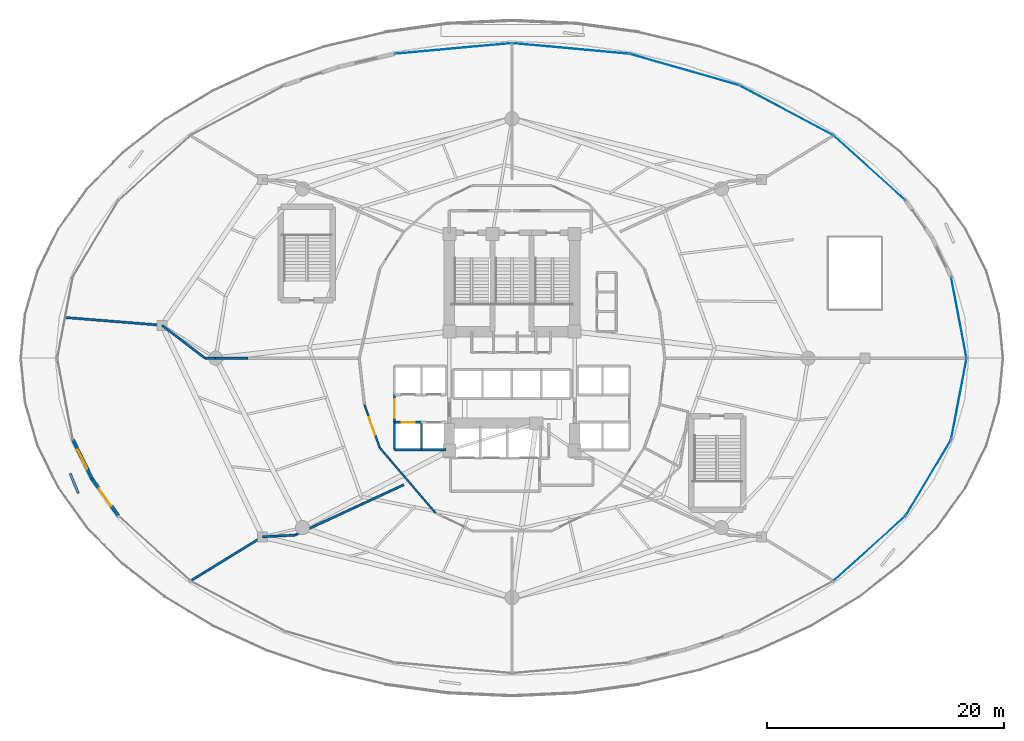
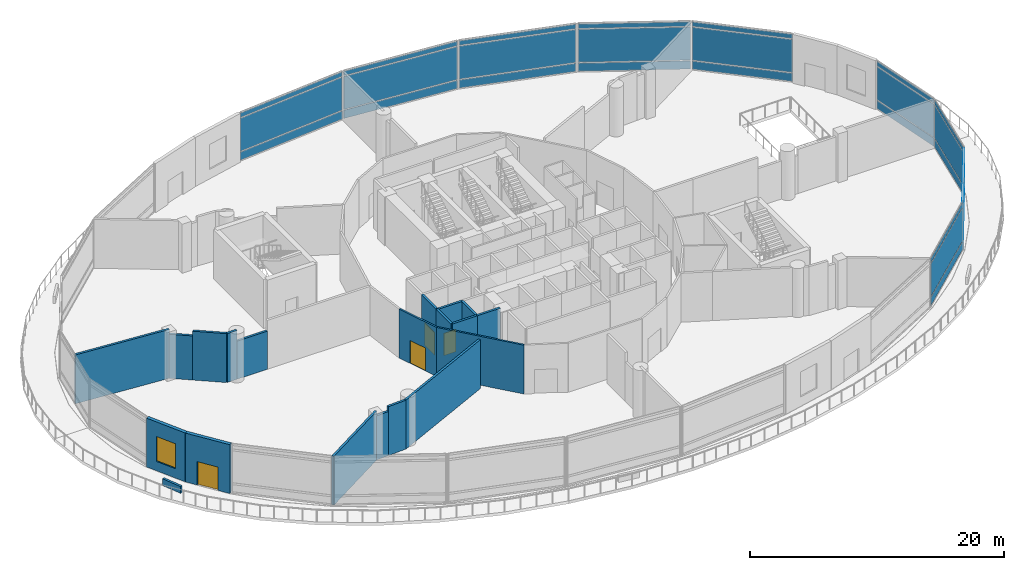
# One storey, part 25 of 37: 27 plates, 20 walls, 4 doors, 1 window, 5 openings, 9 elements without a shape of their own.
"""IFC4 building model written with IfcOpenShell, lengths in metres."""

from ifc_helpers import new_model, si_unit, direction, frame, frame_2d, origin, origin_2d, place, context, subcontext, project, spatial, rectangle, extrude, material, layer, layer_set, type_object, element, fill, aggregate, save


model = new_model("IFC4")

# Units and contexts
model_context = context("Model", 3, precision=1e-05, world=origin(), true_north=direction((0.0, 1.0)))
body_context = subcontext(model_context, "Body", "Model", "MODEL_VIEW")
ifc_project = project(units=[si_unit("LENGTHUNIT", "METRE"), si_unit("AREAUNIT", "SQUARE_METRE"), si_unit("VOLUMEUNIT", "CUBIC_METRE"), si_unit("PLANEANGLEUNIT", "RADIAN"), si_unit("MASSUNIT", "GRAM", prefix="KILO")], contexts=[model_context])

# Site, building, storey
site_placement = place(None, origin())
site = spatial("IfcSite", under=ifc_project, at=site_placement, CompositionType="ELEMENT")
building_placement = place(site_placement, origin())
building = spatial("IfcBuilding", under=site, at=building_placement, Name="Nuhasar Tower", CompositionType="ELEMENT")
storey_placement = place(building_placement, frame((0.0, 0.0, 6.0)))
storey = spatial("IfcBuildingStorey", under=building, at=storey_placement, Name="L01", CompositionType="ELEMENT", Elevation=6.0)

# Curtain wall, plates
ifc_material_1 = material(Name="Aluminium 6063-T6", Category="aluminium")
ifc_layer_1 = layer(ifc_material_1, 0.219970703125)
ifc_layer_set_1 = layer_set([ifc_layer_1], Name="Aluminium 6063-T6")
curtain_wall_type = type_object("IfcCurtainWallType", Name="CW-PODIUM", PredefinedType="NOTDEFINED", material=ifc_layer_set_1)
curtain_wall_1_placement = place(storey_placement, origin())
curtain_wall_1 = element("IfcCurtainWall", 1, at=curtain_wall_1_placement, inside=storey, type_object=curtain_wall_type, Name="L01 Podium Curtain Wall Bay 01", PredefinedType="NOTDEFINED")
ifc_material_2 = material(Name="Glass Double Low-E", Category="glass")
ifc_layer_2 = layer(ifc_material_2, 0.028076171875)
ifc_layer_set_2 = layer_set([ifc_layer_2], Name="Glass Double Low-E")
plate_type_1 = type_object("IfcPlateType", Name="CW-PANEL-GLZ", PredefinedType="CURTAIN_PANEL", material=ifc_layer_set_2)
plate_1_placement = place(storey_placement, frame((76.784912109375, 30.24755859375, 0.9375), z_axis=(0.0, 0.0, 1.0), x_axis=(-0.186653769843, 0.982425758113, 0.0)))
plate_1 = element("IfcPlate", 2, at=plate_1_placement, type_object=plate_type_1, Name="CW-P1 panel 1.2", PredefinedType="CURTAIN_PANEL", context=body_context, shape_type="SweptSolid", body=[
    extrude(rectangle(XDim=6.868408203125, YDim=0.028076171875, at=origin_2d()), origin(), (0.0, 0.0, 1.0), 3.175048828125),
])
plate_2_placement = place(storey_placement, frame((76.784912109375, 30.24755859375, 4.1875), z_axis=(0.0, 0.0, 1.0), x_axis=(-0.186653769843, 0.982425758113, 0.0)))
plate_2 = element("IfcPlate", 3, at=plate_2_placement, type_object=plate_type_1, Name="CW-P1 panel 1.3", PredefinedType="CURTAIN_PANEL", context=body_context, shape_type="SweptSolid", body=[
    extrude(rectangle(XDim=6.868408203125, YDim=0.028076171875, at=origin_2d()), origin(), (0.0, 0.0, 1.0), 0.4375),
])

curtain_wall_2_placement = place(storey_placement, origin())
curtain_wall_2 = element("IfcCurtainWall", 4, at=curtain_wall_2_placement, inside=storey, type_object=curtain_wall_type, Name="L01 Podium Curtain Wall Bay 03", PredefinedType="NOTDEFINED")
plate_3_placement = place(storey_placement, frame((69.235595703125, 42.87841796875, 0.9375), z_axis=(0.0, 0.0, 1.0), x_axis=(-0.742151374001, 0.67023230157, 0.0)))
plate_3 = element("IfcPlate", 5, at=plate_3_placement, type_object=plate_type_1, Name="CW-P1 panel 1.2", PredefinedType="CURTAIN_PANEL", context=body_context, shape_type="SweptSolid", body=[
    extrude(rectangle(XDim=8.08154296875, YDim=0.028076171875, at=origin_2d()), origin(), (0.0, 0.0, 1.0), 3.175048828125),
])
plate_4_placement = place(storey_placement, frame((69.235595703125, 42.87841796875, 4.1875), z_axis=(0.0, 0.0, 1.0), x_axis=(-0.742151374001, 0.67023230157, 0.0)))
plate_4 = element("IfcPlate", 6, at=plate_4_placement, type_object=plate_type_1, Name="CW-P1 panel 1.3", PredefinedType="CURTAIN_PANEL", context=body_context, shape_type="SweptSolid", body=[
    extrude(rectangle(XDim=8.08154296875, YDim=0.028076171875, at=origin_2d()), origin(), (0.0, 0.0, 1.0), 0.4375),
])

curtain_wall_3_placement = place(storey_placement, origin())
curtain_wall_3 = element("IfcCurtainWall", 7, at=curtain_wall_3_placement, inside=storey, type_object=curtain_wall_type, Name="L01 Podium Curtain Wall Bay 04", PredefinedType="NOTDEFINED")
plate_5_placement = place(storey_placement, frame((62.200439453125, 47.75390625, 0.9375), z_axis=(0.0, 0.0, 1.0), x_axis=(-0.882898802593, 0.469563312429, 0.0)))
plate_5 = element("IfcPlate", 8, at=plate_5_placement, type_object=plate_type_1, Name="CW-P1 panel 1.2", PredefinedType="CURTAIN_PANEL", context=body_context, shape_type="SweptSolid", body=[
    extrude(rectangle(XDim=8.866943359375, YDim=0.028076171875, at=origin_2d()), origin(), (0.0, 0.0, 1.0), 3.175048828125),
])
plate_6_placement = place(storey_placement, frame((62.200439453125, 47.75390625, 4.1875), z_axis=(0.0, 0.0, 1.0), x_axis=(-0.882898802593, 0.469563312429, 0.0)))
plate_6 = element("IfcPlate", 9, at=plate_6_placement, type_object=plate_type_1, Name="CW-P1 panel 1.3", PredefinedType="CURTAIN_PANEL", context=body_context, shape_type="SweptSolid", body=[
    extrude(rectangle(XDim=8.866943359375, YDim=0.028076171875, at=origin_2d()), origin(), (0.0, 0.0, 1.0), 0.4375),
])

curtain_wall_4_placement = place(storey_placement, origin())
curtain_wall_4 = element("IfcCurtainWall", 10, at=curtain_wall_4_placement, inside=storey, type_object=curtain_wall_type, Name="L01 Podium Curtain Wall Bay 05", PredefinedType="NOTDEFINED")
plate_7_placement = place(storey_placement, frame((53.58447265625, 51.201416015625, 0.9375), z_axis=(0.0, 0.0, 1.0), x_axis=(-0.961190693885, 0.275884849146, 0.0)))
plate_7 = element("IfcPlate", 11, at=plate_7_placement, type_object=plate_type_1, Name="CW-P1 panel 1.2", PredefinedType="CURTAIN_PANEL", context=body_context, shape_type="SweptSolid", body=[
    extrude(rectangle(XDim=9.495361328125, YDim=0.028076171875, at=origin_2d()), origin(), (0.0, 0.0, 1.0), 3.175048828125),
])
plate_8_placement = place(storey_placement, frame((53.58447265625, 51.201416015625, 4.1875), z_axis=(0.0, 0.0, 1.0), x_axis=(-0.961190693885, 0.275884849146, 0.0)))
plate_8 = element("IfcPlate", 12, at=plate_8_placement, type_object=plate_type_1, Name="CW-P1 panel 1.3", PredefinedType="CURTAIN_PANEL", context=body_context, shape_type="SweptSolid", body=[
    extrude(rectangle(XDim=9.495361328125, YDim=0.028076171875, at=origin_2d()), origin(), (0.0, 0.0, 1.0), 0.4375),
])

curtain_wall_5_placement = place(storey_placement, origin())
curtain_wall_5 = element("IfcCurtainWall", 13, at=curtain_wall_5_placement, inside=storey, type_object=curtain_wall_type, Name="L01 Podium Curtain Wall Bay 06", PredefinedType="NOTDEFINED")
plate_9_placement = place(storey_placement, frame((43.974609375, 52.986083984375, 0.9375), z_axis=(0.0, 0.0, 1.0), x_axis=(-0.995861146172, 0.090887719437, 0.0)))
plate_9 = element("IfcPlate", 14, at=plate_9_placement, type_object=plate_type_1, Name="CW-P1 panel 1.2", PredefinedType="CURTAIN_PANEL", context=body_context, shape_type="SweptSolid", body=[
    extrude(rectangle(XDim=9.84033203125, YDim=0.028076171875, at=origin_2d()), origin(), (0.0, 0.0, 1.0), 3.175048828125),
])
plate_10_placement = place(storey_placement, frame((43.974609375, 52.986083984375, 4.1875), z_axis=(0.0, 0.0, 1.0), x_axis=(-0.995861146172, 0.090887719437, 0.0)))
plate_10 = element("IfcPlate", 15, at=plate_10_placement, type_object=plate_type_1, Name="CW-P1 panel 1.3", PredefinedType="CURTAIN_PANEL", context=body_context, shape_type="SweptSolid", body=[
    extrude(rectangle(XDim=9.84033203125, YDim=0.028076171875, at=origin_2d()), origin(), (0.0, 0.0, 1.0), 0.4375),
])

curtain_wall_6_placement = place(storey_placement, origin())
curtain_wall_6 = element("IfcCurtainWall", 16, at=curtain_wall_6_placement, inside=storey, type_object=curtain_wall_type, Name="L01 Podium Curtain Wall Bay 07", PredefinedType="NOTDEFINED")
plate_11_placement = place(storey_placement, frame((34.025390625, 52.986083984375, 0.9375), z_axis=(0.0, 0.0, 1.0), x_axis=(-0.995861146172, -0.090887719437, 0.0)))
plate_11 = element("IfcPlate", 17, at=plate_11_placement, type_object=plate_type_1, Name="CW-P1 panel 1.2", PredefinedType="CURTAIN_PANEL", context=body_context, shape_type="SweptSolid", body=[
    extrude(rectangle(XDim=9.84033203125, YDim=0.028076171875, at=origin_2d()), origin(), (0.0, 0.0, 1.0), 3.175048828125),
])
plate_12_placement = place(storey_placement, frame((34.025390625, 52.986083984375, 4.1875), z_axis=(0.0, 0.0, 1.0), x_axis=(-0.995861146172, -0.090887719437, 0.0)))
plate_12 = element("IfcPlate", 18, at=plate_12_placement, type_object=plate_type_1, Name="CW-P1 panel 1.3", PredefinedType="CURTAIN_PANEL", context=body_context, shape_type="SweptSolid", body=[
    extrude(rectangle(XDim=9.84033203125, YDim=0.028076171875, at=origin_2d()), origin(), (0.0, 0.0, 1.0), 0.4375),
])

curtain_wall_7_placement = place(storey_placement, origin())
curtain_wall_7 = element("IfcCurtainWall", 19, at=curtain_wall_7_placement, inside=storey, type_object=curtain_wall_type, Name="L01 Podium Curtain Wall Bay 22", PredefinedType="NOTDEFINED")
plate_13_placement = place(storey_placement, frame((69.235595703125, 10.721435546875, 0.9375), z_axis=(0.0, 0.0, 1.0), x_axis=(0.742151374001, 0.67023230157, 0.0)))
plate_13 = element("IfcPlate", 20, at=plate_13_placement, type_object=plate_type_1, Name="CW-P1 panel 1.2", PredefinedType="CURTAIN_PANEL", context=body_context, shape_type="SweptSolid", body=[
    extrude(rectangle(XDim=8.08154296875, YDim=0.028076171875, at=origin_2d()), origin(), (0.0, 0.0, 1.0), 3.175048828125),
])
plate_14_placement = place(storey_placement, frame((69.235595703125, 10.721435546875, 4.1875), z_axis=(0.0, 0.0, 1.0), x_axis=(0.742151374001, 0.67023230157, 0.0)))
plate_14 = element("IfcPlate", 21, at=plate_14_placement, type_object=plate_type_1, Name="CW-P1 panel 1.3", PredefinedType="CURTAIN_PANEL", context=body_context, shape_type="SweptSolid", body=[
    extrude(rectangle(XDim=8.08154296875, YDim=0.028076171875, at=origin_2d()), origin(), (0.0, 0.0, 1.0), 0.4375),
])

curtain_wall_8_placement = place(storey_placement, origin())
curtain_wall_8 = element("IfcCurtainWall", 22, at=curtain_wall_8_placement, inside=storey, type_object=curtain_wall_type, Name="L01 Podium Curtain Wall Bay 23", PredefinedType="NOTDEFINED")
plate_15_placement = place(storey_placement, frame((74.2099609375, 16.6923828125, 0.9375), z_axis=(0.0, 0.0, 1.0), x_axis=(0.513021473633, 0.858375772952, 0.0)))
plate_15 = element("IfcPlate", 23, at=plate_15_placement, type_object=plate_type_1, Name="CW-P1 panel 1.2", PredefinedType="CURTAIN_PANEL", context=body_context, shape_type="SweptSolid", body=[
    extrude(rectangle(XDim=7.3349609375, YDim=0.028076171875, at=origin_2d()), origin(), (0.0, 0.0, 1.0), 3.175048828125),
])
plate_16_placement = place(storey_placement, frame((74.2099609375, 16.6923828125, 4.1875), z_axis=(0.0, 0.0, 1.0), x_axis=(0.513021473633, 0.858375772952, 0.0)))
plate_16 = element("IfcPlate", 24, at=plate_16_placement, type_object=plate_type_1, Name="CW-P1 panel 1.3", PredefinedType="CURTAIN_PANEL", context=body_context, shape_type="SweptSolid", body=[
    extrude(rectangle(XDim=7.3349609375, YDim=0.028076171875, at=origin_2d()), origin(), (0.0, 0.0, 1.0), 0.4375),
])

curtain_wall_9_placement = place(storey_placement, origin())
curtain_wall_9 = element("IfcCurtainWall", 25, at=curtain_wall_9_placement, inside=storey, type_object=curtain_wall_type, Name="L01 Podium Curtain Wall Bay 24", PredefinedType="NOTDEFINED")
plate_17_placement = place(storey_placement, frame((76.784912109375, 23.3525390625, 0.9375), z_axis=(0.0, 0.0, 1.0), x_axis=(0.186653769843, 0.982425758113, 0.0)))
plate_17 = element("IfcPlate", 26, at=plate_17_placement, type_object=plate_type_1, Name="CW-P1 panel 1.2", PredefinedType="CURTAIN_PANEL", context=body_context, shape_type="SweptSolid", body=[
    extrude(rectangle(XDim=6.868408203125, YDim=0.028076171875, at=origin_2d()), origin(), (0.0, 0.0, 1.0), 3.175048828125),
])
plate_18_placement = place(storey_placement, frame((76.784912109375, 23.3525390625, 4.1875), z_axis=(0.0, 0.0, 1.0), x_axis=(0.186653769843, 0.982425758113, 0.0)))
plate_18 = element("IfcPlate", 27, at=plate_18_placement, type_object=plate_type_1, Name="CW-P1 panel 1.3", PredefinedType="CURTAIN_PANEL", context=body_context, shape_type="SweptSolid", body=[
    extrude(rectangle(XDim=6.868408203125, YDim=0.028076171875, at=origin_2d()), origin(), (0.0, 0.0, 1.0), 0.4375),
])

# Plate
ifc_material_3 = material(Name="Glass Spandrel", Category="glass")
ifc_layer_3 = layer(ifc_material_3, 0.035888671875)
ifc_layer_set_3 = layer_set([ifc_layer_3], Name="Glass Spandrel")
plate_type_2 = type_object("IfcPlateType", Name="CW-PANEL-SPN", PredefinedType="CURTAIN_PANEL", material=ifc_layer_set_3)
plate_19_placement = place(storey_placement, frame((76.784912109375, 30.24755859375, 0.074951171875), z_axis=(0.0, 0.0, 1.0), x_axis=(-0.186653769843, 0.982425758113, 0.0)))
plate_19 = element("IfcPlate", 28, at=plate_19_placement, type_object=plate_type_2, Name="CW-P1 panel 1.1", PredefinedType="CURTAIN_PANEL", context=body_context, shape_type="SweptSolid", body=[
    extrude(rectangle(XDim=6.868408203125, YDim=0.035888671875, at=origin_2d()), origin(), (0.0, 0.0, 1.0), 0.78759765625),
])

aggregate(curtain_wall_1, [plate_19, plate_1, plate_2])

plate_20_placement = place(storey_placement, frame((69.235595703125, 42.87841796875, 0.074951171875), z_axis=(0.0, 0.0, 1.0), x_axis=(-0.742151374001, 0.67023230157, 0.0)))
plate_20 = element("IfcPlate", 29, at=plate_20_placement, type_object=plate_type_2, Name="CW-P1 panel 1.1", PredefinedType="CURTAIN_PANEL", context=body_context, shape_type="SweptSolid", body=[
    extrude(rectangle(XDim=8.08154296875, YDim=0.035888671875, at=origin_2d()), origin(), (0.0, 0.0, 1.0), 0.78759765625),
])

aggregate(curtain_wall_2, [plate_20, plate_3, plate_4])

plate_21_placement = place(storey_placement, frame((62.200439453125, 47.75390625, 0.074951171875), z_axis=(0.0, 0.0, 1.0), x_axis=(-0.882898802593, 0.469563312429, 0.0)))
plate_21 = element("IfcPlate", 30, at=plate_21_placement, type_object=plate_type_2, Name="CW-P1 panel 1.1", PredefinedType="CURTAIN_PANEL", context=body_context, shape_type="SweptSolid", body=[
    extrude(rectangle(XDim=8.866943359375, YDim=0.035888671875, at=origin_2d()), origin(), (0.0, 0.0, 1.0), 0.78759765625),
])

aggregate(curtain_wall_3, [plate_21, plate_5, plate_6])

plate_22_placement = place(storey_placement, frame((53.58447265625, 51.201416015625, 0.074951171875), z_axis=(0.0, 0.0, 1.0), x_axis=(-0.961190693885, 0.275884849146, 0.0)))
plate_22 = element("IfcPlate", 31, at=plate_22_placement, type_object=plate_type_2, Name="CW-P1 panel 1.1", PredefinedType="CURTAIN_PANEL", context=body_context, shape_type="SweptSolid", body=[
    extrude(rectangle(XDim=9.495361328125, YDim=0.035888671875, at=origin_2d()), origin(), (0.0, 0.0, 1.0), 0.78759765625),
])

aggregate(curtain_wall_4, [plate_22, plate_7, plate_8])

plate_23_placement = place(storey_placement, frame((43.974609375, 52.986083984375, 0.074951171875), z_axis=(0.0, 0.0, 1.0), x_axis=(-0.995861146172, 0.090887719437, 0.0)))
plate_23 = element("IfcPlate", 32, at=plate_23_placement, type_object=plate_type_2, Name="CW-P1 panel 1.1", PredefinedType="CURTAIN_PANEL", context=body_context, shape_type="SweptSolid", body=[
    extrude(rectangle(XDim=9.84033203125, YDim=0.035888671875, at=origin_2d()), origin(), (0.0, 0.0, 1.0), 0.78759765625),
])

aggregate(curtain_wall_5, [plate_23, plate_9, plate_10])

plate_24_placement = place(storey_placement, frame((34.025390625, 52.986083984375, 0.074951171875), z_axis=(0.0, 0.0, 1.0), x_axis=(-0.995861146172, -0.090887719437, 0.0)))
plate_24 = element("IfcPlate", 33, at=plate_24_placement, type_object=plate_type_2, Name="CW-P1 panel 1.1", PredefinedType="CURTAIN_PANEL", context=body_context, shape_type="SweptSolid", body=[
    extrude(rectangle(XDim=9.84033203125, YDim=0.035888671875, at=origin_2d()), origin(), (0.0, 0.0, 1.0), 0.78759765625),
])

aggregate(curtain_wall_6, [plate_24, plate_11, plate_12])

plate_25_placement = place(storey_placement, frame((69.235595703125, 10.721435546875, 0.074951171875), z_axis=(0.0, 0.0, 1.0), x_axis=(0.742151374001, 0.67023230157, 0.0)))
plate_25 = element("IfcPlate", 34, at=plate_25_placement, type_object=plate_type_2, Name="CW-P1 panel 1.1", PredefinedType="CURTAIN_PANEL", context=body_context, shape_type="SweptSolid", body=[
    extrude(rectangle(XDim=8.08154296875, YDim=0.035888671875, at=origin_2d()), origin(), (0.0, 0.0, 1.0), 0.78759765625),
])

aggregate(curtain_wall_7, [plate_25, plate_13, plate_14])

plate_26_placement = place(storey_placement, frame((74.2099609375, 16.6923828125, 0.074951171875), z_axis=(0.0, 0.0, 1.0), x_axis=(0.513021473633, 0.858375772952, 0.0)))
plate_26 = element("IfcPlate", 35, at=plate_26_placement, type_object=plate_type_2, Name="CW-P1 panel 1.1", PredefinedType="CURTAIN_PANEL", context=body_context, shape_type="SweptSolid", body=[
    extrude(rectangle(XDim=7.3349609375, YDim=0.035888671875, at=origin_2d()), origin(), (0.0, 0.0, 1.0), 0.78759765625),
])

aggregate(curtain_wall_8, [plate_26, plate_15, plate_16])

plate_27_placement = place(storey_placement, frame((76.784912109375, 23.3525390625, 0.074951171875), z_axis=(0.0, 0.0, 1.0), x_axis=(0.186653769843, 0.982425758113, 0.0)))
plate_27 = element("IfcPlate", 36, at=plate_27_placement, type_object=plate_type_2, Name="CW-P1 panel 1.1", PredefinedType="CURTAIN_PANEL", context=body_context, shape_type="SweptSolid", body=[
    extrude(rectangle(XDim=6.868408203125, YDim=0.035888671875, at=origin_2d()), origin(), (0.0, 0.0, 1.0), 0.78759765625),
])

aggregate(curtain_wall_9, [plate_27, plate_17, plate_18])

# Wall, opening, window
ifc_material_4 = material(Name="Concrete C45/55", Category="concrete")
ifc_layer_4 = layer(ifc_material_4, 0.239990234375)
ifc_material_5 = material(Name="Limestone Ashlar", Category="masonry")
ifc_layer_5 = layer(ifc_material_5, 0.06005859375)
ifc_layer_set_4 = layer_set([ifc_layer_4, ifc_layer_5], Name="Concrete C45/55")
wall_type_1 = type_object("IfcWallType", Name="WL-ARC-300", PredefinedType="STANDARD", material=ifc_layer_set_4)
wall_1_placement = place(storey_placement, frame((3.486083984375, 16.60498046875, 0.0), z_axis=(0.0, 0.0, 1.0), x_axis=(-0.4397832387, 0.89810394886, 0.0)))
wall_1 = element("IfcWall", 37, at=wall_1_placement, inside=storey, type_object=wall_type_1, Name="L01 Limestone Arcade Spandrel Pier 14-1", PredefinedType="STANDARD", context=body_context, shape_type="SweptSolid", body=[
    extrude(rectangle(XDim=3.674560546875, YDim=0.300048828125, at=frame_2d((1.83740234375, 0.0))), origin(), (0.0, 0.0, 1.0), 4.699951171875),
])
opening_1_placement = place(wall_1_placement, frame((0.93701171875, 0.0, 0.89990234375)))
opening_1 = element("IfcOpeningElement", 38, at=opening_1_placement, cuts=wall_1, Name="Opening WX-01", PredefinedType="OPENING", context=body_context, shape_type="SweptSolid", body=[
    extrude(rectangle(XDim=1.800048828125, YDim=2.39990234375, at=frame_2d((0.89990234375, 1.199951171875))), frame((0.0, 0.16015625, 0.0), z_axis=(0.0, -1.0, 0.0), x_axis=(1.0, 0.0, 0.0)), (0.0, 0.0, 1.0), 0.320068359375),
])
window_type = type_object("IfcWindowType", Name="WIN-ARC-1800", PartitioningType="DOUBLE_PANEL_VERTICAL", PredefinedType="WINDOW", material=ifc_material_2)
window_placement = place(opening_1_placement, origin())
window = element("IfcWindow", 39, at=window_placement, inside=storey, type_object=window_type, Name="L01 Arcade Vision Window 14", OverallHeight=2.39990234375, OverallWidth=1.800048828125, PartitioningType="DOUBLE_PANEL_VERTICAL", PredefinedType="WINDOW", context=body_context, shape_type="SweptSolid", body=[
    extrude(rectangle(XDim=1.800048828125, YDim=2.39990234375, at=frame_2d((0.89990234375, 1.199951171875))), frame((0.0, 0.030029296875, 0.0), z_axis=(0.0, -1.0, 0.0), x_axis=(1.0, 0.0, 0.0)), (0.0, 0.0, 1.0), 0.06005859375),
])
fill(opening_1, window)

# Wall, opening, door
wall_2_placement = place(storey_placement, frame((5.7099609375, 13.47998046875, 0.0), z_axis=(0.0, 0.0, 1.0), x_axis=(-0.579810280566, 0.814751519514, 0.0)))
wall_2 = element("IfcWall", 40, at=wall_2_placement, inside=storey, type_object=wall_type_1, Name="L01 Limestone Arcade Spandrel Pier 14-2", PredefinedType="STANDARD", context=body_context, shape_type="SweptSolid", body=[
    extrude(rectangle(XDim=3.83544921875, YDim=0.300048828125, at=frame_2d((1.917724609375, 0.0))), origin(), (0.0, 0.0, 1.0), 4.699951171875),
])
opening_2_placement = place(wall_2_placement, frame((1.01806640625, 0.0, 0.0)))
opening_2 = element("IfcOpeningElement", 41, at=opening_2_placement, cuts=wall_2, Name="Opening DX-02", PredefinedType="OPENING", context=body_context, shape_type="SweptSolid", body=[
    extrude(rectangle(XDim=1.800048828125, YDim=2.25, at=frame_2d((0.89990234375, 1.125))), frame((0.0, 0.16015625, 0.0), z_axis=(0.0, -1.0, 0.0), x_axis=(1.0, 0.0, 0.0)), (0.0, 0.0, 1.0), 0.320068359375),
])
door_type_1 = type_object("IfcDoorType", Name="DR-TERR-1800", OperationType="DOUBLE_DOOR_SINGLE_SWING", PredefinedType="DOOR", material=ifc_material_1)
door_1_placement = place(opening_2_placement, origin())
door_1 = element("IfcDoor", 42, at=door_1_placement, inside=storey, type_object=door_type_1, Name="L01 Bustan Terrace Door 14", OperationType="DOUBLE_DOOR_SINGLE_SWING", OverallHeight=2.25, OverallWidth=1.800048828125, PredefinedType="DOOR", context=body_context, shape_type="SweptSolid", body=[
    extrude(rectangle(XDim=1.800048828125, YDim=2.25, at=frame_2d((0.89990234375, 1.125))), frame((0.0, 0.02490234375, 0.0), z_axis=(0.0, -1.0, 0.0), x_axis=(1.0, 0.0, 0.0)), (0.0, 0.0, 1.0), 0.050048828125),
])
fill(opening_2, door_1)

ifc_material_6 = material(Name="Gypsum Board", Category="gypsum")
ifc_layer_6 = layer(ifc_material_6, 0.159912109375)
ifc_layer_set_5 = layer_set([ifc_layer_6], Name="Gypsum Board")
wall_type_2 = type_object("IfcWallType", Name="WL-CORR-160", PredefinedType="PARTITIONING", material=ifc_layer_set_5)
wall_3_placement = place(storey_placement, frame((27.81103515625, 19.239990234375, 0.0), z_axis=(0.0, 0.0, 1.0), x_axis=(-0.333704620558, 0.942677689467, 0.0)))
wall_3 = element("IfcWall", 43, at=wall_3_placement, inside=storey, type_object=wall_type_2, Name="L01 Interior Partition CORR-26", PredefinedType="PARTITIONING", context=body_context, shape_type="SweptSolid", body=[
    extrude(rectangle(XDim=3.86865234375, YDim=0.159912109375, at=frame_2d((1.934326171875, 0.0))), origin(), (0.0, 0.0, 1.0), 4.699951171875),
])
opening_3_placement = place(wall_3_placement, frame((1.134033203125, 0.0, 0.0)))
opening_3 = element("IfcOpeningElement", 44, at=opening_3_placement, cuts=wall_3, Name="Opening DC-01", PredefinedType="OPENING", context=body_context, shape_type="SweptSolid", body=[
    extrude(rectangle(XDim=1.60009765625, YDim=2.199951171875, at=frame_2d((0.800048828125, 1.10009765625))), frame((0.0, 0.08984375, 0.0), z_axis=(0.0, -1.0, 0.0), x_axis=(1.0, 0.0, 0.0)), (0.0, 0.0, 1.0), 0.179931640625),
])
ifc_material_7 = material(Name="Steel S355", Category="steel")
door_type_2 = type_object("IfcDoorType", Name="DR-CORR-FD60-1600", OperationType="DOUBLE_DOOR_SINGLE_SWING", PredefinedType="DOOR", material=ifc_material_7)
door_2_placement = place(opening_3_placement, origin())
door_2 = element("IfcDoor", 45, at=door_2_placement, inside=storey, type_object=door_type_2, Name="L01 Culinary Lounge Door", OperationType="DOUBLE_DOOR_SINGLE_SWING", OverallHeight=2.199951171875, OverallWidth=1.60009765625, PredefinedType="DOOR", context=body_context, shape_type="SweptSolid", body=[
    extrude(rectangle(XDim=1.60009765625, YDim=2.199951171875, at=frame_2d((0.800048828125, 1.10009765625))), frame((0.0, 0.02490234375, 0.0), z_axis=(0.0, -1.0, 0.0), x_axis=(1.0, 0.0, 0.0)), (0.0, 0.0, 1.0), 0.050048828125),
])
fill(opening_3, door_2)

# Wall
wall_4_placement = place(storey_placement, frame((27.81103515625, 19.239990234375, 0.0), z_axis=(0.0, 0.0, 1.0), x_axis=(0.649652680018, -0.760231145998, 0.0)))
element("IfcWall", 46, at=wall_4_placement, inside=storey, type_object=wall_type_2, Name="L01 Interior Partition CORR-28", PredefinedType="PARTITIONING", context=body_context, shape_type="SweptSolid", body=[
    extrude(rectangle(XDim=7.279296875, YDim=0.159912109375, at=frame_2d((3.6396484375, 0.0))), origin(), (0.0, 0.0, 1.0), 4.699951171875),
])

# Wall, opening, door
ifc_layer_7 = layer(ifc_material_4, 0.199951171875)
ifc_layer_set_6 = layer_set([ifc_layer_7], Name="Concrete C45/55")
wall_type_3 = type_object("IfcWallType", Name="WL-LOBBY-200", PredefinedType="SOLIDWALL", material=ifc_layer_set_6)
wall_5_placement = place(storey_placement, frame((29.070068359375, 21.3798828125, 0.0), z_axis=(0.0, 0.0, 1.0), x_axis=(0.0, 1.0, 0.0)))
wall_5 = element("IfcWall", 47, at=wall_5_placement, inside=storey, type_object=wall_type_3, Name="L01 Interior Partition LLBL-W", PredefinedType="SOLIDWALL", context=body_context, shape_type="SweptSolid", body=[
    extrude(rectangle(XDim=2.340087890625, YDim=0.199951171875, at=frame_2d((1.169921875, 0.0))), origin(), (0.0, 0.0, 1.0), 4.699951171875),
])
opening_4_placement = place(wall_5_placement, frame((0.3701171875, 0.0, 0.0)))
opening_4 = element("IfcOpeningElement", 48, at=opening_4_placement, cuts=wall_5, Name="Opening DC-01", PredefinedType="OPENING", context=body_context, shape_type="SweptSolid", body=[
    extrude(rectangle(XDim=1.60009765625, YDim=2.199951171875, at=frame_2d((0.800048828125, 1.10009765625))), frame((0.0, 0.10986328125, 0.0), z_axis=(0.0, -1.0, 0.0), x_axis=(1.0, 0.0, 0.0)), (0.0, 0.0, 1.0), 0.219970703125),
])
door_3_placement = place(opening_4_placement, origin())
door_3 = element("IfcDoor", 49, at=door_3_placement, inside=storey, type_object=door_type_2, Name="L01 Low-Rise Lift Lobby West Entry", OperationType="DOUBLE_DOOR_SINGLE_SWING", OverallHeight=2.199951171875, OverallWidth=1.60009765625, PredefinedType="DOOR", context=body_context, shape_type="SweptSolid", body=[
    extrude(rectangle(XDim=1.60009765625, YDim=2.199951171875, at=frame_2d((0.800048828125, 1.10009765625))), frame((0.0, 0.02490234375, 0.0), z_axis=(0.0, -1.0, 0.0), x_axis=(1.0, 0.0, 0.0)), (0.0, 0.0, 1.0), 0.050048828125),
])
fill(opening_4, door_3)

# Walls
ifc_layer_8 = layer(ifc_material_4, 0.199951171875)
ifc_layer_set_7 = layer_set([ifc_layer_8], Name="Concrete C45/55")
wall_type_4 = type_object("IfcWallType", Name="WL-PLANTER-200", PredefinedType="ELEMENTEDWALL", material=ifc_layer_set_7)
wall_6_placement = place(storey_placement, frame((2.333984375, 15.383056640625, 0.0), z_axis=(0.0, 0.0, 1.0), x_axis=(-0.382775058439, 0.923841574425, 0.0)))
element("IfcWall", 50, at=wall_6_placement, inside=storey, type_object=wall_type_4, Name="L01 Bustan Garden Planter Curb 04", PredefinedType="ELEMENTEDWALL", context=body_context, shape_type="SweptSolid", body=[
    extrude(rectangle(XDim=1.7998046875, YDim=0.199951171875, at=frame_2d((0.89990234375, 0.0))), origin(), (0.0, 0.0, 1.0), 0.64990234375),
])
ifc_layer_9 = layer(ifc_material_4, 0.199951171875)
ifc_layer_set_8 = layer_set([ifc_layer_9], Name="Concrete C45/55")
wall_type_5 = type_object("IfcWallType", Name="WL-SHAFT-200", PredefinedType="SOLIDWALL", material=ifc_layer_set_8)
wall_7_placement = place(storey_placement, frame((29.070068359375, 19.070068359375, 0.0), z_axis=(0.0, 0.0, 1.0), x_axis=(1.0, 0.0, 0.0)))
element("IfcWall", 51, at=wall_7_placement, inside=storey, type_object=wall_type_5, Name="L01 Interior Partition SHF-PL-L03-S", PredefinedType="SOLIDWALL", context=body_context, shape_type="SweptSolid", body=[
    extrude(rectangle(XDim=2.309814453125, YDim=0.199951171875, at=frame_2d((1.15478515625, 0.0))), origin(), (0.0, 0.0, 1.0), 4.699951171875),
])

# Wall, opening, door
wall_8_placement = place(storey_placement, frame((29.070068359375, 21.3798828125, 0.0), z_axis=(0.0, 0.0, 1.0), x_axis=(1.0, 0.0, 0.0)))
wall_8 = element("IfcWall", 52, at=wall_8_placement, inside=storey, type_object=wall_type_5, Name="L01 Interior Partition SHF-PL-L03-N", PredefinedType="SOLIDWALL", context=body_context, shape_type="SweptSolid", body=[
    extrude(rectangle(XDim=2.309814453125, YDim=0.199951171875, at=frame_2d((1.15478515625, 0.0))), origin(), (0.0, 0.0, 1.0), 4.699951171875),
])
opening_5_placement = place(wall_8_placement, frame((0.60498046875, 0.0, 0.0)))
opening_5 = element("IfcOpeningElement", 53, at=opening_5_placement, cuts=wall_8, Name="Opening LD-L03", PredefinedType="OPENING", context=body_context, shape_type="SweptSolid", body=[
    extrude(rectangle(XDim=1.10009765625, YDim=2.14990234375, at=frame_2d((0.550048828125, 1.074951171875))), frame((0.0, 0.10986328125, 0.0), z_axis=(0.0, -1.0, 0.0), x_axis=(1.0, 0.0, 0.0)), (0.0, 0.0, 1.0), 0.219970703125),
])
ifc_material_8 = material(Name="Stainless Steel 316L", Category="steel")
door_type_3 = type_object("IfcDoorType", Name="LD-PAX-1100", OperationType="DOUBLE_DOOR_SLIDING", PredefinedType="DOOR", material=ifc_material_8)
door_4_placement = place(opening_5_placement, origin())
door_4 = element("IfcDoor", 54, at=door_4_placement, inside=storey, type_object=door_type_3, Name="L01 Lift Landing Door PL-L03", OperationType="DOUBLE_DOOR_SLIDING", OverallHeight=2.14990234375, OverallWidth=1.10009765625, PredefinedType="DOOR", context=body_context, shape_type="SweptSolid", body=[
    extrude(rectangle(XDim=1.10009765625, YDim=2.14990234375, at=frame_2d((0.550048828125, 1.074951171875))), frame((0.0, 0.02490234375, 0.0), z_axis=(0.0, -1.0, 0.0), x_axis=(1.0, 0.0, 0.0)), (0.0, 0.0, 1.0), 0.050048828125),
])
fill(opening_5, door_4)

# Walls
for number, where, z_axis, x_axis, name in (
    (55, (29.070068359375, 19.070068359375, 0.0), (0.0, 0.0, 1.0), (0.0, 1.0, 0.0), "L01 Interior Partition SHF-PL-L03-W"),
    (56, (31.35009765625, 19.070068359375, 0.0), (0.0, 0.0, 1.0), (0.0, 1.0, 0.0), "L01 Interior Partition SHF-PL-L03-E"),
):
    element("IfcWall", number, at=place(storey_placement, frame(where, z_axis=z_axis, x_axis=x_axis)), inside=storey, type_object=wall_type_5, Name=name, PredefinedType="SOLIDWALL", context=body_context, shape_type="SweptSolid", body=[
        extrude(rectangle(XDim=2.309814453125, YDim=0.199951171875, at=frame_2d((1.15478515625, 0.0))), origin(), (0.0, 0.0, 1.0), 4.699951171875),
    ])
wall_9_placement = place(storey_placement, frame((31.320068359375, 19.070068359375, 0.0), z_axis=(0.0, 0.0, 1.0), x_axis=(1.0, 0.0, 0.0)))
element("IfcWall", 57, at=wall_9_placement, inside=storey, type_object=wall_type_5, Name="L01 Interior Partition SHF-PL-L04-S", PredefinedType="SOLIDWALL", context=body_context, shape_type="SweptSolid", body=[
    extrude(rectangle(XDim=2.10986328125, YDim=0.199951171875, at=frame_2d((1.054931640625, 0.0))), origin(), (0.0, 0.0, 1.0), 4.699951171875),
])
ifc_material_9 = material(Name="Concrete C40/50 precast", Category="concrete")
ifc_layer_10 = layer(ifc_material_9, 0.199951171875)
ifc_layer_set_9 = layer_set([ifc_layer_10], Name="Concrete C40/50 precast")
wall_type_6 = type_object("IfcWallType", Name="WL-UNIT-200", PredefinedType="PARTITIONING", material=ifc_layer_set_9)
wall_10_placement = place(storey_placement, frame((16.68310546875, 26.800048828125, 0.0), z_axis=(0.0, 0.0, 1.0), x_axis=(-1.0, 0.0, 0.0)))
element("IfcWall", 58, at=wall_10_placement, inside=storey, type_object=wall_type_6, Name="L01 Interior Partition PRAD-24-S1", PredefinedType="PARTITIONING", context=body_context, shape_type="SweptSolid", body=[
    extrude(rectangle(XDim=2.744140625, YDim=0.199951171875, at=frame_2d((1.3720703125, 0.0))), origin(), (0.0, 0.0, 1.0), 3.659912109375),
])
wall_11_placement = place(storey_placement, frame((13.93896484375, 26.800048828125, 0.0), z_axis=(0.0, 0.0, 1.0), x_axis=(-1.0, 0.0, 0.0)))
element("IfcWall", 59, at=wall_11_placement, inside=storey, type_object=wall_type_6, Name="L01 Interior Partition PRAD-24-S1", PredefinedType="PARTITIONING", context=body_context, shape_type="SweptSolid", body=[
    extrude(rectangle(XDim=0.888916015625, YDim=0.199951171875, at=frame_2d((0.4443359375, 0.0))), origin(), (0.0, 0.0, 1.0), 4.699951171875),
])
wall_12_placement = place(storey_placement, frame((13.050048828125, 26.800048828125, 0.0), z_axis=(0.0, 0.0, 1.0), x_axis=(-0.794337234882, 0.607477042595, 0.0)))
element("IfcWall", 60, at=wall_12_placement, inside=storey, type_object=wall_type_6, Name="L01 Interior Partition PRAD-24-S2", PredefinedType="PARTITIONING", context=body_context, shape_type="SweptSolid", body=[
    extrude(rectangle(XDim=2.69140625, YDim=0.199951171875, at=frame_2d((1.345703125, 0.0))), origin(), (0.0, 0.0, 1.0), 4.699951171875),
])
wall_13_placement = place(storey_placement, frame((10.912109375, 28.43505859375, 0.0), z_axis=(0.0, 0.0, 1.0), x_axis=(-0.794514897702, 0.607244660191, 0.0)))
element("IfcWall", 61, at=wall_13_placement, inside=storey, type_object=wall_type_6, Name="L01 Interior Partition PRAD-24-S2", PredefinedType="PARTITIONING", context=body_context, shape_type="SweptSolid", body=[
    extrude(rectangle(XDim=1.89697265625, YDim=0.199951171875, at=frame_2d((0.948486328125, 0.0))), origin(), (0.0, 0.0, 1.0), 4.239990234375),
])
wall_14_placement = place(storey_placement, frame((9.405029296875, 29.5869140625, 0.0), z_axis=(0.0, 0.0, 1.0), x_axis=(-0.996780937532, 0.080173328319, 0.0)))
element("IfcWall", 62, at=wall_14_placement, inside=storey, type_object=wall_type_6, Name="L01 Interior Partition PRAD-24-S3", PredefinedType="PARTITIONING", context=body_context, shape_type="SweptSolid", body=[
    extrude(rectangle(XDim=8.182373046875, YDim=0.199951171875, at=frame_2d((4.09130859375, 0.0))), origin(), (0.0, 0.0, 1.0), 4.699951171875),
])
wall_15_placement = place(storey_placement, frame((29.864013671875, 16.10888671875, 0.0), z_axis=(0.0, 0.0, 1.0), x_axis=(-0.907520382507, -0.420008041988, 0.0)))
element("IfcWall", 63, at=wall_15_placement, inside=storey, type_object=wall_type_6, Name="L01 Interior Partition PRAD-30-S1", PredefinedType="PARTITIONING", context=body_context, shape_type="SweptSolid", body=[
    extrude(rectangle(XDim=10.152099609375, YDim=0.199951171875, at=frame_2d((5.076171875, 0.0))), origin(), (0.0, 0.0, 1.0), 4.699951171875),
])
wall_16_placement = place(storey_placement, frame((20.65087890625, 11.844970703125, 0.0), z_axis=(0.0, 0.0, 1.0), x_axis=(-0.998692725363, -0.051115949639, 0.0)))
element("IfcWall", 64, at=wall_16_placement, inside=storey, type_object=wall_type_6, Name="L01 Interior Partition PRAD-30-S2", PredefinedType="PARTITIONING", context=body_context, shape_type="SweptSolid", body=[
    extrude(rectangle(XDim=1.64306640625, YDim=0.199951171875, at=frame_2d((0.821533203125, 0.0))), origin(), (0.0, 0.0, 1.0), 4.699951171875),
])
wall_17_placement = place(storey_placement, frame((19.010009765625, 11.760986328125, 0.0), z_axis=(0.0, 0.0, 1.0), x_axis=(-0.998649603439, -0.051951607785, 0.0)))
element("IfcWall", 65, at=wall_17_placement, inside=storey, type_object=wall_type_6, Name="L01 Interior Partition PRAD-30-S2", PredefinedType="PARTITIONING", context=body_context, shape_type="SweptSolid", body=[
    extrude(rectangle(XDim=1.118408203125, YDim=0.199951171875, at=frame_2d((0.55908203125, 0.0))), origin(), (0.0, 0.0, 1.0), 4.239990234375),
])
wall_18_placement = place(storey_placement, frame((17.89306640625, 11.702880859375, 0.0), z_axis=(0.0, 0.0, 1.0), x_axis=(-0.852078396496, -0.523414182293, 0.0)))
element("IfcWall", 66, at=wall_18_placement, inside=storey, type_object=wall_type_6, Name="L01 Interior Partition PRAD-30-S3", PredefinedType="PARTITIONING", context=body_context, shape_type="SweptSolid", body=[
    extrude(rectangle(XDim=7.09912109375, YDim=0.199951171875, at=frame_2d((3.549560546875, 0.0))), origin(), (0.0, 0.0, 1.0), 4.699951171875),
])

save(model, "model.ifc")
